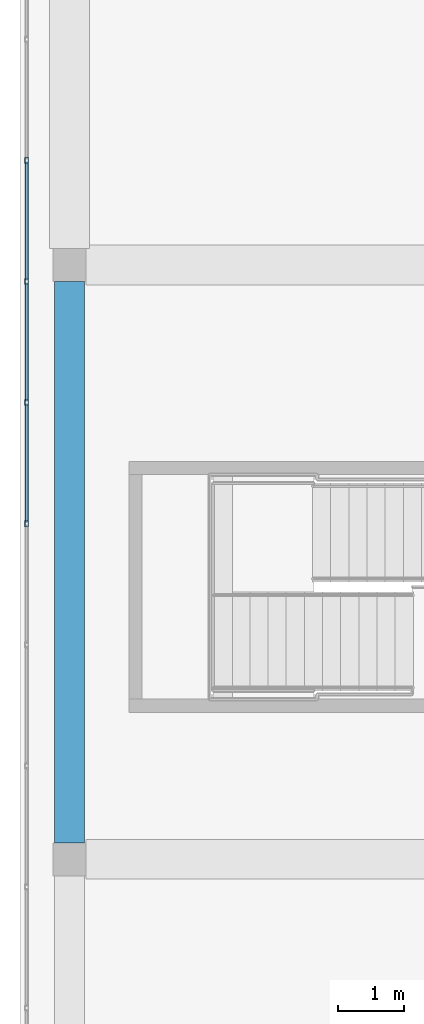
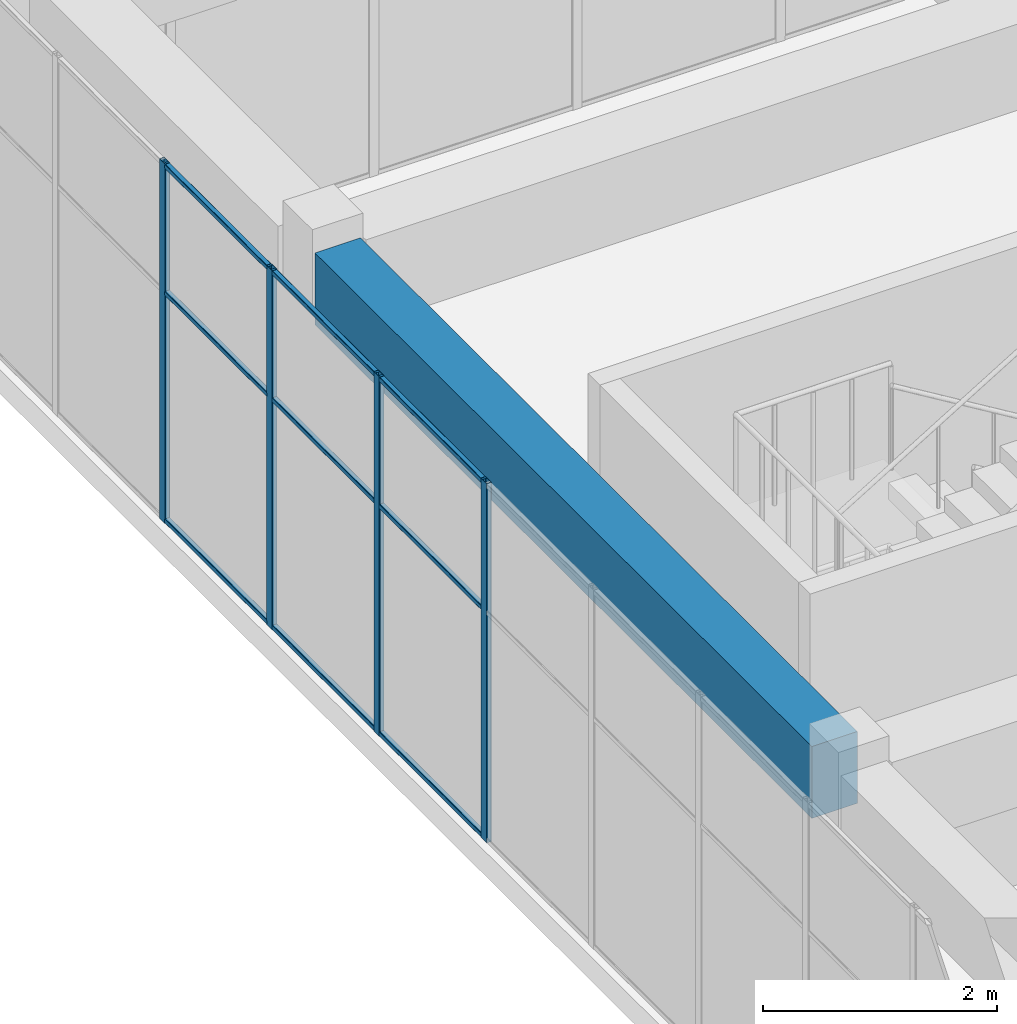
# One storey, part 20 of 34: 13 members, 1 beam, 1 element without a shape of its own.
"""IFC4 building model written with IfcOpenShell, lengths in metres."""

from ifc_helpers import new_model, si_unit, direction, frame, origin, origin_2d, place, context, subcontext, project, spatial, rectangle, hollow_rectangle, extrude, material, layer, layer_set, material_profile, profile_set, type_object, element, aggregate, save


model = new_model("IFC4")

# Units and contexts
model_context = context("Model", 3, precision=1e-05, world=origin(), true_north=direction((0.0, 1.0)))
body_context = subcontext(model_context, "Body", "Model", "MODEL_VIEW")
ifc_project = project(units=[si_unit("LENGTHUNIT", "METRE"), si_unit("AREAUNIT", "SQUARE_METRE"), si_unit("VOLUMEUNIT", "CUBIC_METRE"), si_unit("PLANEANGLEUNIT", "RADIAN"), si_unit("MASSUNIT", "GRAM", prefix="KILO")], contexts=[model_context])

# Site, building, storey
site_placement = place(None, origin())
site = spatial("IfcSite", under=ifc_project, at=site_placement, CompositionType="ELEMENT")
building_placement = place(site_placement, origin())
building = spatial("IfcBuilding", under=site, at=building_placement, Name="Tuart Plaza Theatre", CompositionType="ELEMENT")
storey_placement = place(building_placement, frame((0.0, 0.0, 57.5)))
storey = spatial("IfcBuildingStorey", under=building, at=storey_placement, Name="L14", CompositionType="ELEMENT", Elevation=57.5)

# Beam
ifc_material_1 = material(Name="Concrete N40 (40 MPa)", Category="concrete")
ifc_material_profile_1 = material_profile(ifc_material_1, rectangle(XDim=0.449951171875, YDim=0.75, at=origin_2d()), Name="BEAM 450x750 Concrete N40 (40 MPa)")
ifc_profile_set_1 = profile_set([ifc_material_profile_1], Name="Concrete N40 (40 MPa)")
beam_type = type_object("IfcBeamType", Name="BEAM 450x750 Concrete N40 (40 MPa)", PredefinedType="BEAM", material=ifc_profile_set_1)
beam_placement = place(storey_placement, frame((114.0, 83.25, 3.375), z_axis=(0.0, 1.0, 0.0), x_axis=(-1.0, 0.0, 0.0)))
element("IfcBeam", 1, at=beam_placement, inside=storey, type_object=beam_type, Name="RB322", PredefinedType="BEAM", context=body_context, shape_type="SweptSolid", body=[
    extrude(rectangle(XDim=0.449951171875, YDim=0.75, at=origin_2d()), origin(), (0.0, 0.0, 1.0), 8.5),
])

# Curtain wall, members
ifc_material_2 = material(Name="Aluminium and glass", Category="aluminium")
ifc_layer = layer(ifc_material_2, 0.10009765625)
ifc_layer_set = layer_set([ifc_layer], Name="CURTAIN WALL 1800 module")
curtain_wall_type = type_object("IfcCurtainWallType", Name="CURTAIN WALL 1800 module", PredefinedType="NOTDEFINED", material=ifc_layer_set)
curtain_wall_placement = place(storey_placement, origin())
curtain_wall = element("IfcCurtainWall", 2, at=curtain_wall_placement, inside=storey, type_object=curtain_wall_type, Name="CW118", PredefinedType="NOTDEFINED")
ifc_material_3 = material(Name="Aluminium 6063-T5", Category="aluminium")
ifc_material_profile_2 = material_profile(ifc_material_3, hollow_rectangle(XDim=0.050048828125, YDim=0.10009765625, WallThickness=0.00390625, InnerFilletRadius=0.00390625, OuterFilletRadius=0.008056640625, at=origin_2d()), Name="RHS 100x50x4")
ifc_profile_set_2 = profile_set([ifc_material_profile_2], Name="Aluminium 6063-T5")
member_type_1 = type_object("IfcMemberType", Name="MULLION RHS 100x50x4", PredefinedType="MULLION", material=ifc_profile_set_2)
member_1_placement = place(storey_placement, frame((113.35009765625, 93.583251953125, 0.0), z_axis=(0.0, 0.0, 1.0), x_axis=(1.0, 0.0, 0.0)))
member_1 = element("IfcMember", 3, at=member_1_placement, type_object=member_type_1, Name="CW118 mullion 3", PredefinedType="MULLION", context=body_context, shape_type="SweptSolid", body=[
    extrude(hollow_rectangle(XDim=0.050048828125, YDim=0.10009765625, WallThickness=0.00390625, InnerFilletRadius=0.00390625, OuterFilletRadius=0.008056640625, at=origin_2d()), origin(), (0.0, 0.0, 1.0), 3.75),
])
member_2_placement = place(storey_placement, frame((113.35009765625, 91.75, 0.0), z_axis=(0.0, 0.0, 1.0), x_axis=(1.0, 0.0, 0.0)))
member_2 = element("IfcMember", 4, at=member_2_placement, type_object=member_type_1, Name="CW118 mullion 4", PredefinedType="MULLION", context=body_context, shape_type="SweptSolid", body=[
    extrude(hollow_rectangle(XDim=0.050048828125, YDim=0.10009765625, WallThickness=0.00390625, InnerFilletRadius=0.00390625, OuterFilletRadius=0.008056640625, at=origin_2d()), origin(), (0.0, 0.0, 1.0), 3.75),
])
member_3_placement = place(storey_placement, frame((113.35009765625, 89.916748046875, 0.0), z_axis=(0.0, 0.0, 1.0), x_axis=(1.0, 0.0, 0.0)))
member_3 = element("IfcMember", 5, at=member_3_placement, type_object=member_type_1, Name="CW118 mullion 5", PredefinedType="MULLION", context=body_context, shape_type="SweptSolid", body=[
    extrude(hollow_rectangle(XDim=0.050048828125, YDim=0.10009765625, WallThickness=0.00390625, InnerFilletRadius=0.00390625, OuterFilletRadius=0.008056640625, at=origin_2d()), origin(), (0.0, 0.0, 1.0), 3.75),
])
member_4_placement = place(storey_placement, frame((113.35009765625, 88.083251953125, 0.0), z_axis=(0.0, 0.0, 1.0), x_axis=(1.0, 0.0, 0.0)))
member_4 = element("IfcMember", 6, at=member_4_placement, type_object=member_type_1, Name="CW118 mullion 6", PredefinedType="MULLION", context=body_context, shape_type="SweptSolid", body=[
    extrude(hollow_rectangle(XDim=0.050048828125, YDim=0.10009765625, WallThickness=0.00390625, InnerFilletRadius=0.00390625, OuterFilletRadius=0.008056640625, at=origin_2d()), origin(), (0.0, 0.0, 1.0), 3.75),
])
ifc_material_4 = material(Name="Aluminium 6063-T5", Category="aluminium")
ifc_material_profile_3 = material_profile(ifc_material_4, hollow_rectangle(XDim=0.050048828125, YDim=0.050048828125, WallThickness=0.00390625, InnerFilletRadius=0.00390625, OuterFilletRadius=0.008056640625, at=origin_2d()), Name="RHS 50x50x4")
ifc_profile_set_3 = profile_set([ifc_material_profile_3], Name="Aluminium 6063-T5")
member_type_2 = type_object("IfcMemberType", Name="TRANSOM RHS 50x50x4", PredefinedType="USERDEFINED", material=ifc_profile_set_3)
member_5_placement = place(storey_placement, frame((113.35009765625, 93.558349609375, 0.02490234375), z_axis=(0.0, -1.0, 0.0), x_axis=(1.0, 0.0, 0.0)))
member_5 = element("IfcMember", 7, at=member_5_placement, type_object=member_type_2, Name="CW118 transom 3.1", ObjectType="TRANSOM", PredefinedType="USERDEFINED", context=body_context, shape_type="SweptSolid", body=[
    extrude(hollow_rectangle(XDim=0.050048828125, YDim=0.050048828125, WallThickness=0.00390625, InnerFilletRadius=0.00390625, OuterFilletRadius=0.008056640625, at=origin_2d()), origin(), (0.0, 0.0, 1.0), 1.783447265625),
])
member_6_placement = place(storey_placement, frame((113.35009765625, 93.558349609375, 2.39990234375), z_axis=(0.0, -1.0, 0.0), x_axis=(1.0, 0.0, 0.0)))
member_6 = element("IfcMember", 8, at=member_6_placement, type_object=member_type_2, Name="CW118 transom 3.2", ObjectType="TRANSOM", PredefinedType="USERDEFINED", context=body_context, shape_type="SweptSolid", body=[
    extrude(hollow_rectangle(XDim=0.050048828125, YDim=0.050048828125, WallThickness=0.00390625, InnerFilletRadius=0.00390625, OuterFilletRadius=0.008056640625, at=origin_2d()), origin(), (0.0, 0.0, 1.0), 1.783447265625),
])
member_7_placement = place(storey_placement, frame((113.35009765625, 93.558349609375, 3.72509765625), z_axis=(0.0, -1.0, 0.0), x_axis=(1.0, 0.0, 0.0)))
member_7 = element("IfcMember", 9, at=member_7_placement, type_object=member_type_2, Name="CW118 transom 3.3", ObjectType="TRANSOM", PredefinedType="USERDEFINED", context=body_context, shape_type="SweptSolid", body=[
    extrude(hollow_rectangle(XDim=0.050048828125, YDim=0.050048828125, WallThickness=0.00390625, InnerFilletRadius=0.00390625, OuterFilletRadius=0.008056640625, at=origin_2d()), origin(), (0.0, 0.0, 1.0), 1.783447265625),
])
member_8_placement = place(storey_placement, frame((113.35009765625, 91.72509765625, 0.02490234375), z_axis=(0.0, -1.0, 0.0), x_axis=(1.0, 0.0, 0.0)))
member_8 = element("IfcMember", 10, at=member_8_placement, type_object=member_type_2, Name="CW118 transom 4.1", ObjectType="TRANSOM", PredefinedType="USERDEFINED", context=body_context, shape_type="SweptSolid", body=[
    extrude(hollow_rectangle(XDim=0.050048828125, YDim=0.050048828125, WallThickness=0.00390625, InnerFilletRadius=0.00390625, OuterFilletRadius=0.008056640625, at=origin_2d()), origin(), (0.0, 0.0, 1.0), 1.783447265625),
])
member_9_placement = place(storey_placement, frame((113.35009765625, 91.72509765625, 2.39990234375), z_axis=(0.0, -1.0, 0.0), x_axis=(1.0, 0.0, 0.0)))
member_9 = element("IfcMember", 11, at=member_9_placement, type_object=member_type_2, Name="CW118 transom 4.2", ObjectType="TRANSOM", PredefinedType="USERDEFINED", context=body_context, shape_type="SweptSolid", body=[
    extrude(hollow_rectangle(XDim=0.050048828125, YDim=0.050048828125, WallThickness=0.00390625, InnerFilletRadius=0.00390625, OuterFilletRadius=0.008056640625, at=origin_2d()), origin(), (0.0, 0.0, 1.0), 1.783447265625),
])
member_10_placement = place(storey_placement, frame((113.35009765625, 91.72509765625, 3.72509765625), z_axis=(0.0, -1.0, 0.0), x_axis=(1.0, 0.0, 0.0)))
member_10 = element("IfcMember", 12, at=member_10_placement, type_object=member_type_2, Name="CW118 transom 4.3", ObjectType="TRANSOM", PredefinedType="USERDEFINED", context=body_context, shape_type="SweptSolid", body=[
    extrude(hollow_rectangle(XDim=0.050048828125, YDim=0.050048828125, WallThickness=0.00390625, InnerFilletRadius=0.00390625, OuterFilletRadius=0.008056640625, at=origin_2d()), origin(), (0.0, 0.0, 1.0), 1.783447265625),
])
member_11_placement = place(storey_placement, frame((113.35009765625, 89.8916015625, 0.02490234375), z_axis=(0.0, -1.0, 0.0), x_axis=(1.0, 0.0, 0.0)))
member_11 = element("IfcMember", 13, at=member_11_placement, type_object=member_type_2, Name="CW118 transom 5.1", ObjectType="TRANSOM", PredefinedType="USERDEFINED", context=body_context, shape_type="SweptSolid", body=[
    extrude(hollow_rectangle(XDim=0.050048828125, YDim=0.050048828125, WallThickness=0.00390625, InnerFilletRadius=0.00390625, OuterFilletRadius=0.008056640625, at=origin_2d()), origin(), (0.0, 0.0, 1.0), 1.783203125),
])
member_12_placement = place(storey_placement, frame((113.35009765625, 89.8916015625, 2.39990234375), z_axis=(0.0, -1.0, 0.0), x_axis=(1.0, 0.0, 0.0)))
member_12 = element("IfcMember", 14, at=member_12_placement, type_object=member_type_2, Name="CW118 transom 5.2", ObjectType="TRANSOM", PredefinedType="USERDEFINED", context=body_context, shape_type="SweptSolid", body=[
    extrude(hollow_rectangle(XDim=0.050048828125, YDim=0.050048828125, WallThickness=0.00390625, InnerFilletRadius=0.00390625, OuterFilletRadius=0.008056640625, at=origin_2d()), origin(), (0.0, 0.0, 1.0), 1.783203125),
])
member_13_placement = place(storey_placement, frame((113.35009765625, 89.8916015625, 3.72509765625), z_axis=(0.0, -1.0, 0.0), x_axis=(1.0, 0.0, 0.0)))
member_13 = element("IfcMember", 15, at=member_13_placement, type_object=member_type_2, Name="CW118 transom 5.3", ObjectType="TRANSOM", PredefinedType="USERDEFINED", context=body_context, shape_type="SweptSolid", body=[
    extrude(hollow_rectangle(XDim=0.050048828125, YDim=0.050048828125, WallThickness=0.00390625, InnerFilletRadius=0.00390625, OuterFilletRadius=0.008056640625, at=origin_2d()), origin(), (0.0, 0.0, 1.0), 1.783203125),
])
aggregate(curtain_wall, [member_1, member_2, member_3, member_4, member_5, member_6, member_7, member_8, member_9, member_10, member_11, member_12, member_13])

save(model, "model.ifc")
